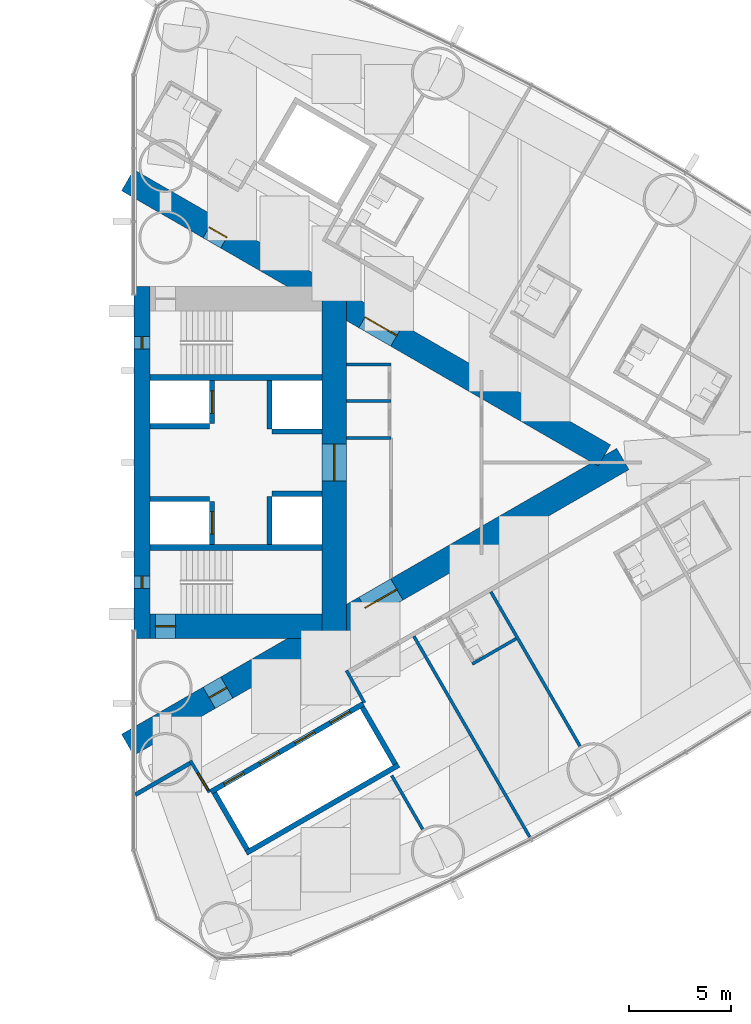
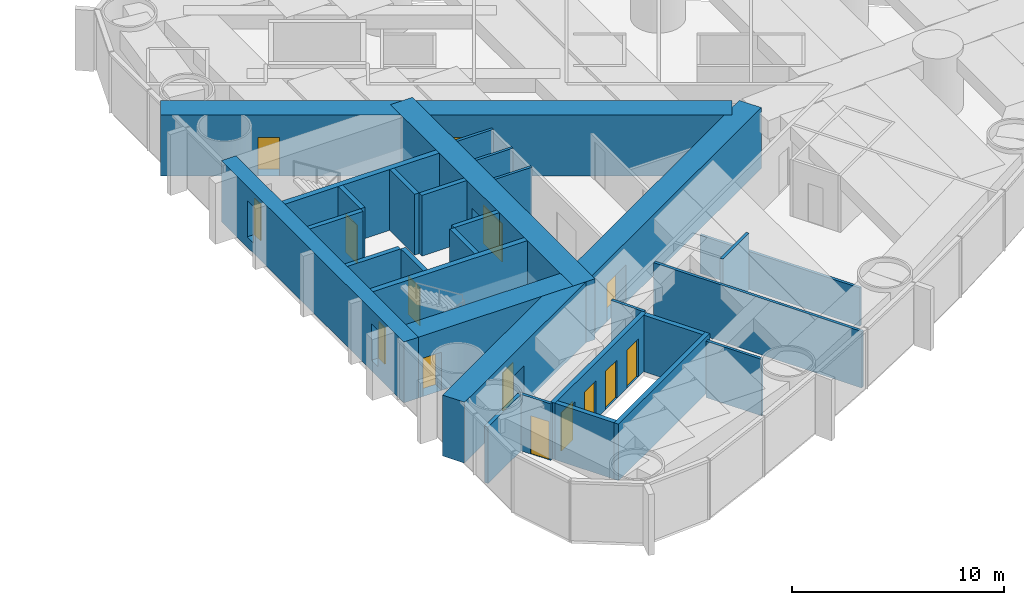
# One storey, part 13 of 18: 29 walls, 13 doors, 2 windows, 15 openings.
"""IFC4 building model written with IfcOpenShell, lengths in metres."""

import ifcopenshell
import ifcopenshell.guid

model = None  # the IFC model being written
_history = None  # IfcOwnerHistory: only IFC2X3 demands one
_inside = {}  # id of a spatial element -> (the spatial element, [elements in it])
_under = {}  # id of a project, library or spatial element -> (it, [spatial elements below it])
_declared = {}  # id of a project -> (the project, [libraries it declares])
_typed = {}  # id of a type object -> (the type object, [elements of that type])
_made_of = {}  # id of a material, layer set ... -> (it, [elements and type objects made of it])


def new_model(schema):
    """Start an empty IFC model of exactly this schema.

    Asked for "IFC4X3", IfcOpenShell would pick the latest addendum, in which some entities
    have other attributes; the version numbers below select the first issue.
    IFC2X3 requires an IfcOwnerHistory on every rooted entity: one is made here for all.
    """
    global model, _history
    if schema == "IFC4X3":
        model = ifcopenshell.file(schema_version=(4, 3, 0, 0))
    else:
        model = ifcopenshell.file(schema=schema)
    _inside.clear()
    _under.clear()
    _declared.clear()
    _typed.clear()
    _made_of.clear()
    _history = None
    if model.schema == "IFC2X3":
        org = make("IfcOrganization", Name="unknown")
        user = make(
            "IfcPersonAndOrganization",
            ThePerson=make("IfcPerson", FamilyName="unknown"),
            TheOrganization=org,
        )
        app = make(
            "IfcApplication",
            ApplicationDeveloper=org,
            Version="unknown",
            ApplicationFullName="unknown",
            ApplicationIdentifier="unknown",
        )
        _history = make(
            "IfcOwnerHistory",
            OwningUser=user,
            OwningApplication=app,
            ChangeAction="ADDED",
            CreationDate=0,
        )
    return model


def make(cls, **values):
    """One entity of the class cls with the attributes given. An attribute that is None is left unset."""
    return model.create_entity(
        cls, **{name: value for name, value in values.items() if value is not None}
    )


def rooted(cls, **values):
    """An entity with a GlobalId (a new one), such as an element, a storey or a relation."""
    return make(cls, GlobalId=ifcopenshell.guid.new(), OwnerHistory=_history, **values)


def si_unit(unit_type, name, prefix=None):
    """IfcSIUnit, for example si_unit("LENGTHUNIT", "METRE", prefix="MILLI")."""
    return make("IfcSIUnit", UnitType=unit_type, Prefix=prefix, Name=name)


def assignment(units):
    """IfcUnitAssignment: the units of a project."""
    return None if units is None else make("IfcUnitAssignment", Units=units)


def point(xyz):
    """IfcCartesianPoint."""
    return None if xyz is None else make("IfcCartesianPoint", Coordinates=xyz)


def direction(xyz):
    """IfcDirection."""
    return None if xyz is None else make("IfcDirection", DirectionRatios=xyz)


def frame(location, z_axis=None, x_axis=None):
    """IfcAxis2Placement3D, a coordinate frame: its origin and axes. An axis left out is left unset."""
    return make(
        "IfcAxis2Placement3D",
        Location=point(location),
        Axis=direction(z_axis),
        RefDirection=direction(x_axis),
    )


def frame_2d(location, x_axis=None):
    """IfcAxis2Placement2D, a coordinate frame in the plane: its origin and x axis."""
    return make(
        "IfcAxis2Placement2D", Location=point(location), RefDirection=direction(x_axis)
    )


def origin():
    """The frame at (0, 0, 0) with its axes left unset."""
    return frame((0.0, 0.0, 0.0))


def place(relative_to, where):
    """IfcLocalPlacement: puts the frame where relative to a parent placement (None: the world)."""
    return make(
        "IfcLocalPlacement", PlacementRelTo=relative_to, RelativePlacement=where
    )


def context(
    kind, dimensions, precision=None, world=None, true_north=None, identifier=None
):
    """IfcGeometricRepresentationContext, for example the 3D "Model" context."""
    return make(
        "IfcGeometricRepresentationContext",
        ContextIdentifier=identifier,
        ContextType=kind,
        CoordinateSpaceDimension=dimensions,
        Precision=precision,
        WorldCoordinateSystem=world,
        TrueNorth=true_north,
    )


def subcontext(parent, identifier, kind, view, scale=None):
    """IfcGeometricRepresentationSubContext, for example "Body" below "Model"."""
    return make(
        "IfcGeometricRepresentationSubContext",
        ContextIdentifier=identifier,
        ContextType=kind,
        ParentContext=parent,
        TargetScale=scale,
        TargetView=view,
    )


def project(units=None, contexts=None):
    """IfcProject with its units and contexts."""
    return rooted(
        "IfcProject",
        Name="project",
        RepresentationContexts=contexts,
        UnitsInContext=assignment(units),
    )


def spatial(cls, under=None, at=None, **own):
    """A site, building, storey or space (cls), placed at a placement, below another one or the project."""
    s = rooted(cls, ObjectPlacement=at, **own)
    if under is not None:
        _under.setdefault(under.id(), (under, []))[1].append(s)
    return s


def profile(cls, at=None, kind="AREA", **sizes):
    """A parametric profile (cls). Its sizes go by their IFC names, for example OverallWidth=200.0."""
    return make(cls, ProfileType=kind, Position=at, **sizes)


def rectangle(**sizes):
    """IfcRectangleProfileDef."""
    return profile("IfcRectangleProfileDef", **sizes)


def extrude(swept, where, along, depth):
    """IfcExtrudedAreaSolid: the profile swept, set in the frame where, extruded along a direction by depth."""
    return make(
        "IfcExtrudedAreaSolid",
        SweptArea=swept,
        Position=where,
        ExtrudedDirection=direction(along),
        Depth=depth,
    )


def shape(context_of_items, identifier, shape_type, items):
    """IfcShapeRepresentation: the items that make up one representation, for example the "Body"."""
    return make(
        "IfcShapeRepresentation",
        ContextOfItems=context_of_items,
        RepresentationIdentifier=identifier,
        RepresentationType=shape_type,
        Items=items,
    )


def material(Name=None, Category=None):
    """IfcMaterial."""
    return make("IfcMaterial", Name=Name, Category=Category)


def layer(
    of_material, thickness, ventilated=None, Name=None, Category=None, Priority=None
):
    """IfcMaterialLayer: one layer of a wall or slab, of a material (None: an air gap)."""
    return make(
        "IfcMaterialLayer",
        Material=of_material,
        LayerThickness=thickness,
        IsVentilated=ventilated,
        Name=Name,
        Category=Category,
        Priority=Priority,
    )


def layer_set(layers, Name=None):
    """IfcMaterialLayerSet."""
    return make("IfcMaterialLayerSet", MaterialLayers=layers, LayerSetName=Name)


def made_of(thing, what):
    """Note that an element or type object is made of a material, layer set ...; save() writes the relation."""
    if what is not None:
        _made_of.setdefault(what.id(), (what, []))[1].append(thing)
    return thing


def type_object(cls, material=None, **own):
    """A type object (cls), such as IfcWallType, which elements share."""
    return made_of(rooted(cls, **own), material)


def element(
    cls,
    number,
    at=None,
    inside=None,
    cuts=None,
    type_object=None,
    material=None,
    context=None,
    identifier="Body",
    shape_type=None,
    held_by="IfcProductDefinitionShape",
    body=None,
    shapes=None,
    **own,
):
    """One element of the class cls, such as IfcWall. Its Tag is "e" and its number.

    at: its placement. inside: the storey or other place that contains it. cuts: it is an
    opening in that element (IfcRelVoidsElement). A single representation is given by context,
    identifier, shape_type and body (its items); several are given by shapes. held_by: the class
    of the entity that holds the representations. save() writes the other relations.
    """
    e = rooted(cls, Tag="e%d" % number, ObjectPlacement=at, **own)
    if body is not None:
        shapes = [shape(context, identifier, shape_type, body)]
    if shapes is not None:
        e.Representation = make(held_by, Representations=shapes)
    if inside is not None:
        _inside.setdefault(inside.id(), (inside, []))[1].append(e)
    if cuts is not None:
        rooted(
            "IfcRelVoidsElement", RelatingBuildingElement=cuts, RelatedOpeningElement=e
        )
    if type_object is not None:
        _typed.setdefault(type_object.id(), (type_object, []))[1].append(e)
    return made_of(e, material)


def fill(opening, filler):
    """IfcRelFillsElement: the door or window that sits in an opening."""
    return rooted(
        "IfcRelFillsElement",
        RelatingOpeningElement=opening,
        RelatedBuildingElement=filler,
    )


def aggregate(whole, parts):
    """IfcRelAggregates: a whole, such as a stair, and the parts it consists of."""
    return rooted("IfcRelAggregates", RelatingObject=whole, RelatedObjects=parts)


def save(model, path):
    """Write the relations noted so far, then the file.

    IfcRelAggregates (storeys below a building ...), IfcRelContainedInSpatialStructure (elements
    in a storey), IfcRelDefinesByType, IfcRelAssociatesMaterial and IfcRelDeclares: one each for
    every whole, place, type object, material and project.
    """
    for whole, parts in _under.values():
        aggregate(whole, parts)
    for where, things in _inside.values():
        rooted(
            "IfcRelContainedInSpatialStructure",
            RelatedElements=things,
            RelatingStructure=where,
        )
    for kind, things in _typed.values():
        rooted("IfcRelDefinesByType", RelatedObjects=things, RelatingType=kind)
    for what, things in _made_of.values():
        rooted("IfcRelAssociatesMaterial", RelatedObjects=things, RelatingMaterial=what)
    for by, libraries in _declared.values():
        rooted("IfcRelDeclares", RelatingContext=by, RelatedDefinitions=libraries)
    model.write(path)


model = new_model("IFC4")

# Units and contexts
model_context = context("Model", 3, precision=1e-05, world=origin(), true_north=direction((0.0, 1.0)))
body_context = subcontext(model_context, "Body", "Model", "MODEL_VIEW")
ifc_project = project(units=[si_unit("LENGTHUNIT", "METRE"), si_unit("AREAUNIT", "SQUARE_METRE"), si_unit("VOLUMEUNIT", "CUBIC_METRE"), si_unit("PLANEANGLEUNIT", "RADIAN"), si_unit("MASSUNIT", "GRAM", prefix="KILO")], contexts=[model_context])

# Site, building, storey
site_placement = place(None, origin())
site = spatial("IfcSite", under=ifc_project, at=site_placement, CompositionType="ELEMENT")
building_placement = place(site_placement, origin())
building = spatial("IfcBuilding", under=site, at=building_placement, Name="Lancet Gate Hotel", CompositionType="ELEMENT")
storey_placement = place(building_placement, frame((0.0, 0.0, 118.60009765625)))
storey = spatial("IfcBuildingStorey", under=building, at=storey_placement, Name="L31", CompositionType="ELEMENT", Elevation=118.60009765625)

# Wall
ifc_material_1 = material(Name="Moisture resistant board partition")
ifc_layer_1 = layer(ifc_material_1, 0.14990234375)
ifc_layer_set_1 = layer_set([ifc_layer_1], Name="Bathroom wall 150")
wall_type_1 = type_object("IfcWallType", Name="Bathroom wall 150", PredefinedType="PARTITIONING", material=ifc_layer_set_1)
wall_1_placement = place(storey_placement, frame((44.045166015625, -9.847900390625, 0.0), z_axis=(0.0, 0.0, 1.0), x_axis=(0.866031185235, 0.4999899861, 0.0)))
element("IfcWall", 1, at=wall_1_placement, inside=storey, type_object=wall_type_1, Name="T2 bathroom wall 150 L31", PredefinedType="PARTITIONING", context=body_context, shape_type="SweptSolid", body=[
    extrude(rectangle(XDim=2.47509765625, YDim=0.14990234375, at=frame_2d((1.237548828125, 0.0))), origin(), (0.0, 0.0, 1.0), 3.25),
])

# Wall, openings, doors
ifc_material_2 = material(Name="Concrete C70/85", Category="concrete")
ifc_layer_2 = layer(ifc_material_2, 1.199951171875)
ifc_layer_set_2 = layer_set([ifc_layer_2], Name="Buttress wall 1200")
wall_type_2 = type_object("IfcWallType", Name="Buttress wall 1200", PredefinedType="SHEAR", material=ifc_layer_set_2)
wall_2_placement = place(storey_placement, frame((27.199951171875, -13.800048828125, 0.0), z_axis=(0.0, 0.0, 1.0), x_axis=(0.866027159892, 0.499996958321, 0.0)))
wall_2 = element("IfcWall", 2, at=wall_2_placement, inside=storey, type_object=wall_type_2, Name="T2 buttress wall S L31", PredefinedType="SHEAR", context=body_context, shape_type="SweptSolid", body=[
    extrude(rectangle(XDim=27.946533203125, YDim=1.199951171875, at=frame_2d((13.97314453125, 0.0))), origin(), (0.0, 0.0, 1.0), 3.5),
])
opening_1_placement = place(wall_2_placement, frame((4.60009765625, 0.0, 0.0)))
opening_1 = element("IfcOpeningElement", 3, at=opening_1_placement, cuts=wall_2, Name="Opening T2-L31-LS", PredefinedType="OPENING", context=body_context, shape_type="SweptSolid", body=[
    extrude(rectangle(XDim=1.0, YDim=2.199951171875, at=frame_2d((0.5, 1.10009765625))), frame((0.0, 0.60986328125, 0.0), z_axis=(0.0, -1.0, 0.0), x_axis=(1.0, 0.0, 0.0)), (0.0, 0.0, 1.0), 1.219970703125),
])
opening_2_placement = place(wall_2_placement, frame((13.39453125, 0.0, 0.0)))
opening_2 = element("IfcOpeningElement", 4, at=opening_2_placement, cuts=wall_2, Name="Opening T2-L31-LHS", PredefinedType="OPENING", context=body_context, shape_type="SweptSolid", body=[
    extrude(rectangle(XDim=1.800048828125, YDim=2.199951171875, at=frame_2d((0.89990234375, 1.10009765625))), frame((0.0, 0.60986328125, 0.0), z_axis=(0.0, -1.0, 0.0), x_axis=(1.0, 0.0, 0.0)), (0.0, 0.0, 1.0), 1.219970703125),
])
ifc_material_3 = material(Name="Timber door set", Category="wood")
door_type_1 = type_object("IfcDoorType", Name="Lobby double door 1800", OperationType="DOUBLE_DOOR_SINGLE_SWING", PredefinedType="DOOR", material=ifc_material_3)
door_1_placement = place(opening_2_placement, origin())
door_1 = element("IfcDoor", 5, at=door_1_placement, inside=storey, type_object=door_type_1, Name="T2-L31-LHS", OperationType="DOUBLE_DOOR_SINGLE_SWING", OverallHeight=2.199951171875, OverallWidth=1.800048828125, PredefinedType="DOOR", context=body_context, shape_type="SweptSolid", body=[
    extrude(rectangle(XDim=1.800048828125, YDim=2.199951171875, at=frame_2d((0.89990234375, 1.10009765625))), frame((0.0, 0.02490234375, 0.0), z_axis=(0.0, -1.0, 0.0), x_axis=(1.0, 0.0, 0.0)), (0.0, 0.0, 1.0), 0.050048828125),
])
fill(opening_2, door_1)
ifc_material_4 = material(Name="Timber door set", Category="wood")
door_type_2 = type_object("IfcDoorType", Name="Stair lobby door 1000", OperationType="SINGLE_SWING_LEFT", PredefinedType="DOOR", material=ifc_material_4)
door_2_placement = place(opening_1_placement, origin())
door_2 = element("IfcDoor", 6, at=door_2_placement, inside=storey, type_object=door_type_2, Name="T2-L31-LS", OperationType="SINGLE_SWING_LEFT", OverallHeight=2.199951171875, OverallWidth=1.0, PredefinedType="DOOR", context=body_context, shape_type="SweptSolid", body=[
    extrude(rectangle(XDim=1.0, YDim=2.199951171875, at=frame_2d((0.5, 1.10009765625))), frame((0.0, 0.02490234375, 0.0), z_axis=(0.0, -1.0, 0.0), x_axis=(1.0, 0.0, 0.0)), (0.0, 0.0, 1.0), 0.050048828125),
])
fill(opening_1, door_2)

wall_3_placement = place(storey_placement, frame((27.199951171875, 13.800048828125, 0.0), z_axis=(0.0, 0.0, 1.0), x_axis=(0.866024515034, -0.500001539357, 0.0)))
wall_3 = element("IfcWall", 7, at=wall_3_placement, inside=storey, type_object=wall_type_2, Name="T2 buttress wall N L31", PredefinedType="SHEAR", context=body_context, shape_type="SweptSolid", body=[
    extrude(rectangle(XDim=26.9072265625, YDim=1.199951171875, at=frame_2d((13.45361328125, 0.0))), origin(), (0.0, 0.0, 1.0), 3.5),
])
opening_3_placement = place(wall_3_placement, frame((4.60009765625, 0.0, 0.0)))
opening_3 = element("IfcOpeningElement", 8, at=opening_3_placement, cuts=wall_3, Name="Opening T2-L31-LN", PredefinedType="OPENING", context=body_context, shape_type="SweptSolid", body=[
    extrude(rectangle(XDim=1.0, YDim=2.199951171875, at=frame_2d((0.5, 1.10009765625))), frame((0.0, 0.60986328125, 0.0), z_axis=(0.0, -1.0, 0.0), x_axis=(1.0, 0.0, 0.0)), (0.0, 0.0, 1.0), 1.219970703125),
])
opening_4_placement = place(wall_3_placement, frame((13.39453125, 0.0, 0.0)))
opening_4 = element("IfcOpeningElement", 9, at=opening_4_placement, cuts=wall_3, Name="Opening T2-L31-LHN", PredefinedType="OPENING", context=body_context, shape_type="SweptSolid", body=[
    extrude(rectangle(XDim=1.800048828125, YDim=2.199951171875, at=frame_2d((0.89990234375, 1.10009765625))), frame((0.0, 0.60986328125, 0.0), z_axis=(0.0, -1.0, 0.0), x_axis=(1.0, 0.0, 0.0)), (0.0, 0.0, 1.0), 1.219970703125),
])
door_3_placement = place(opening_4_placement, origin())
door_3 = element("IfcDoor", 10, at=door_3_placement, inside=storey, type_object=door_type_1, Name="T2-L31-LHN", OperationType="DOUBLE_DOOR_SINGLE_SWING", OverallHeight=2.199951171875, OverallWidth=1.800048828125, PredefinedType="DOOR", context=body_context, shape_type="SweptSolid", body=[
    extrude(rectangle(XDim=1.800048828125, YDim=2.199951171875, at=frame_2d((0.89990234375, 1.10009765625))), frame((0.0, 0.02490234375, 0.0), z_axis=(0.0, -1.0, 0.0), x_axis=(1.0, 0.0, 0.0)), (0.0, 0.0, 1.0), 0.050048828125),
])
fill(opening_4, door_3)
door_4_placement = place(opening_3_placement, origin())
door_4 = element("IfcDoor", 11, at=door_4_placement, inside=storey, type_object=door_type_2, Name="T2-L31-LN", OperationType="SINGLE_SWING_LEFT", OverallHeight=2.199951171875, OverallWidth=1.0, PredefinedType="DOOR", context=body_context, shape_type="SweptSolid", body=[
    extrude(rectangle(XDim=1.0, YDim=2.199951171875, at=frame_2d((0.5, 1.10009765625))), frame((0.0, 0.02490234375, 0.0), z_axis=(0.0, -1.0, 0.0), x_axis=(1.0, 0.0, 0.0)), (0.0, 0.0, 1.0), 0.050048828125),
])
fill(opening_3, door_4)

# Wall, opening, door
ifc_material_5 = material(Name="Concrete C70/85", Category="concrete")
ifc_layer_3 = layer(ifc_material_5, 1.199951171875)
ifc_layer_set_3 = layer_set([ifc_layer_3], Name="Core wall 1200")
wall_type_3 = type_object("IfcWallType", Name="Core wall 1200", PredefinedType="SHEAR", material=ifc_layer_set_3)
wall_4_placement = place(storey_placement, frame((37.300048828125, -8.60009765625, 0.0), z_axis=(0.0, 0.0, 1.0), x_axis=(0.0, 1.0, 0.0)))
wall_4 = element("IfcWall", 12, at=wall_4_placement, inside=storey, type_object=wall_type_3, Name="T2 core wall back L31", PredefinedType="SHEAR", context=body_context, shape_type="SweptSolid", body=[
    extrude(rectangle(XDim=17.2001953125, YDim=1.199951171875, at=frame_2d((8.60009765625, 0.0))), origin(), (0.0, 0.0, 1.0), 3.5),
])
opening_5_placement = place(wall_4_placement, frame((7.699951171875, 0.0, 0.0)))
opening_5 = element("IfcOpeningElement", 13, at=opening_5_placement, cuts=wall_4, Name="Opening T2-L31-LL", PredefinedType="OPENING", context=body_context, shape_type="SweptSolid", body=[
    extrude(rectangle(XDim=1.800048828125, YDim=2.199951171875, at=frame_2d((0.89990234375, 1.10009765625))), frame((0.0, 0.60986328125, 0.0), z_axis=(0.0, -1.0, 0.0), x_axis=(1.0, 0.0, 0.0)), (0.0, 0.0, 1.0), 1.219970703125),
])
door_5_placement = place(opening_5_placement, origin())
door_5 = element("IfcDoor", 14, at=door_5_placement, inside=storey, type_object=door_type_1, Name="T2-L31-LL", OperationType="DOUBLE_DOOR_SINGLE_SWING", OverallHeight=2.199951171875, OverallWidth=1.800048828125, PredefinedType="DOOR", context=body_context, shape_type="SweptSolid", body=[
    extrude(rectangle(XDim=1.800048828125, YDim=2.199951171875, at=frame_2d((0.89990234375, 1.10009765625))), frame((0.0, 0.02490234375, 0.0), z_axis=(0.0, -1.0, 0.0), x_axis=(1.0, 0.0, 0.0)), (0.0, 0.0, 1.0), 0.050048828125),
])
fill(opening_5, door_5)

wall_5_placement = place(storey_placement, frame((28.300048828125, -8.0, 0.0), z_axis=(0.0, 0.0, 1.0), x_axis=(1.0, 0.0, 0.0)))
wall_5 = element("IfcWall", 15, at=wall_5_placement, inside=storey, type_object=wall_type_3, Name="T2 core wall side-S L31", PredefinedType="SHEAR", context=body_context, shape_type="SweptSolid", body=[
    extrude(rectangle(XDim=8.39990234375, YDim=1.199951171875, at=frame_2d((4.199951171875, 0.0))), origin(), (0.0, 0.0, 1.0), 3.5),
])
opening_6_placement = place(wall_5_placement, frame((0.25, 0.0, 0.0)))
opening_6 = element("IfcOpeningElement", 16, at=opening_6_placement, cuts=wall_5, Name="Opening T2-L31-ST1", PredefinedType="OPENING", context=body_context, shape_type="SweptSolid", body=[
    extrude(rectangle(XDim=1.0, YDim=2.199951171875, at=frame_2d((0.5, 1.10009765625))), frame((0.0, 0.60986328125, 0.0), z_axis=(0.0, -1.0, 0.0), x_axis=(1.0, 0.0, 0.0)), (0.0, 0.0, 1.0), 1.219970703125),
])
ifc_material_6 = material(Name="Timber door set", Category="wood")
door_type_3 = type_object("IfcDoorType", Name="Stair door 1000", OperationType="SINGLE_SWING_RIGHT", PredefinedType="DOOR", material=ifc_material_6)
door_6_placement = place(opening_6_placement, origin())
door_6 = element("IfcDoor", 17, at=door_6_placement, inside=storey, type_object=door_type_3, Name="T2-L31-ST1", OperationType="SINGLE_SWING_RIGHT", OverallHeight=2.199951171875, OverallWidth=1.0, PredefinedType="DOOR", context=body_context, shape_type="SweptSolid", body=[
    extrude(rectangle(XDim=1.0, YDim=2.199951171875, at=frame_2d((0.5, 1.10009765625))), frame((0.0, 0.02490234375, 0.0), z_axis=(0.0, -1.0, 0.0), x_axis=(1.0, 0.0, 0.0)), (0.0, 0.0, 1.0), 0.050048828125),
])
fill(opening_6, door_6)

# Wall, openings, windows
ifc_material_7 = material(Name="Concrete C70/85", Category="concrete")
ifc_layer_4 = layer(ifc_material_7, 0.800048828125)
ifc_layer_set_4 = layer_set([ifc_layer_4], Name="Core wall 800")
wall_type_4 = type_object("IfcWallType", Name="Core wall 800", PredefinedType="SHEAR", material=ifc_layer_set_4)
wall_6_placement = place(storey_placement, frame((27.89990234375, -8.60009765625, 0.0), z_axis=(0.0, 0.0, 1.0), x_axis=(0.0, 1.0, 0.0)))
wall_6 = element("IfcWall", 18, at=wall_6_placement, inside=storey, type_object=wall_type_4, Name="T2 core wall front L31", PredefinedType="SHEAR", context=body_context, shape_type="SweptSolid", body=[
    extrude(rectangle(XDim=17.2001953125, YDim=0.800048828125, at=frame_2d((8.60009765625, 0.0))), origin(), (0.0, 0.0, 1.0), 3.5),
])
opening_7_placement = place(wall_6_placement, frame((2.449951171875, 0.0, 0.60009765625)))
opening_7 = element("IfcOpeningElement", 19, at=opening_7_placement, cuts=wall_6, Name="Opening LW1", PredefinedType="OPENING", context=body_context, shape_type="SweptSolid", body=[
    extrude(rectangle(XDim=0.60009765625, YDim=2.10009765625, at=frame_2d((0.300048828125, 1.050048828125))), frame((0.0, 0.409912109375, 0.0), z_axis=(0.0, -1.0, 0.0), x_axis=(1.0, 0.0, 0.0)), (0.0, 0.0, 1.0), 0.820068359375),
])
opening_8_placement = place(wall_6_placement, frame((14.14990234375, 0.0, 0.60009765625)))
opening_8 = element("IfcOpeningElement", 20, at=opening_8_placement, cuts=wall_6, Name="Opening LW1", PredefinedType="OPENING", context=body_context, shape_type="SweptSolid", body=[
    extrude(rectangle(XDim=0.60009765625, YDim=2.10009765625, at=frame_2d((0.300048828125, 1.050048828125))), frame((0.0, 0.409912109375, 0.0), z_axis=(0.0, -1.0, 0.0), x_axis=(1.0, 0.0, 0.0)), (0.0, 0.0, 1.0), 0.820068359375),
])
ifc_material_8 = material(Name="Fire-resisting glazed steel window", Category="steel")
window_type = type_object("IfcWindowType", Name="Lancet window 600x2100", PartitioningType="SINGLE_PANEL", PredefinedType="WINDOW", material=ifc_material_8)
window_1_placement = place(opening_7_placement, origin())
window_1 = element("IfcWindow", 21, at=window_1_placement, inside=storey, type_object=window_type, Name="T2 stair window S L31", OverallHeight=2.10009765625, OverallWidth=0.60009765625, PartitioningType="SINGLE_PANEL", PredefinedType="WINDOW", context=body_context, shape_type="SweptSolid", body=[
    extrude(rectangle(XDim=0.60009765625, YDim=2.10009765625, at=frame_2d((0.300048828125, 1.050048828125))), frame((0.0, 0.030029296875, 0.0), z_axis=(0.0, -1.0, 0.0), x_axis=(1.0, 0.0, 0.0)), (0.0, 0.0, 1.0), 0.06005859375),
])
fill(opening_7, window_1)
window_2_placement = place(opening_8_placement, origin())
window_2 = element("IfcWindow", 22, at=window_2_placement, inside=storey, type_object=window_type, Name="T2 stair window N L31", OverallHeight=2.10009765625, OverallWidth=0.60009765625, PartitioningType="SINGLE_PANEL", PredefinedType="WINDOW", context=body_context, shape_type="SweptSolid", body=[
    extrude(rectangle(XDim=0.60009765625, YDim=2.10009765625, at=frame_2d((0.300048828125, 1.050048828125))), frame((0.0, 0.030029296875, 0.0), z_axis=(0.0, -1.0, 0.0), x_axis=(1.0, 0.0, 0.0)), (0.0, 0.0, 1.0), 0.06005859375),
])
fill(opening_8, window_2)

# Wall
ifc_material_9 = material(Name="Gypsum board partition")
ifc_layer_5 = layer(ifc_material_9, 0.199951171875)
ifc_layer_set_5 = layer_set([ifc_layer_5], Name="Corridor wall 200")
wall_type_5 = type_object("IfcWallType", Name="Corridor wall 200", PredefinedType="PARTITIONING", material=ifc_layer_set_5)
wall_7_placement = place(storey_placement, frame((27.572021484375, -16.240966796875, 0.0), z_axis=(0.0, 0.0, 1.0), x_axis=(0.866029654818, 0.499992636921, 0.0)))
element("IfcWall", 23, at=wall_7_placement, inside=storey, type_object=wall_type_5, Name="T2 corridor wall 200 L31", PredefinedType="PARTITIONING", context=body_context, shape_type="SweptSolid", body=[
    extrude(rectangle(XDim=3.15478515625, YDim=0.199951171875, at=frame_2d((1.577392578125, 0.0))), origin(), (0.0, 0.0, 1.0), 3.25),
])

# Wall, openings, doors
ifc_material_10 = material(Name="Gypsum board partition")
ifc_layer_6 = layer(ifc_material_10, 0.25)
ifc_layer_set_6 = layer_set([ifc_layer_6], Name="Lift shaft partition 250")
wall_type_6 = type_object("IfcWallType", Name="Lift shaft partition 250", PredefinedType="PARTITIONING", material=ifc_layer_set_6)
wall_8_placement = place(storey_placement, frame((31.2705078125, -16.09716796875, 0.0), z_axis=(0.0, 0.0, 1.0), x_axis=(0.86604045752, 0.499973925258, 0.0)))
wall_8 = element("IfcWall", 24, at=wall_8_placement, inside=storey, type_object=wall_type_6, Name="T2 lift shaft wall LR L31", PredefinedType="PARTITIONING", context=body_context, shape_type="SweptSolid", body=[
    extrude(rectangle(XDim=8.60009765625, YDim=0.25, at=frame_2d((4.300048828125, 0.0))), origin(), (0.0, 0.0, 1.0), 3.25),
])
opening_9_placement = place(wall_8_placement, frame((0.75, 0.0, 0.0)))
opening_9 = element("IfcOpeningElement", 25, at=opening_9_placement, cuts=wall_8, Name="Opening T2-LR1-L31", PredefinedType="OPENING", context=body_context, shape_type="SweptSolid", body=[
    extrude(rectangle(XDim=1.10009765625, YDim=2.199951171875, at=frame_2d((0.550048828125, 1.10009765625))), frame((0.0, 0.135009765625, 0.0), z_axis=(0.0, -1.0, 0.0), x_axis=(1.0, 0.0, 0.0)), (0.0, 0.0, 1.0), 0.27001953125),
])
opening_10_placement = place(wall_8_placement, frame((2.75, 0.0, 0.0)))
opening_10 = element("IfcOpeningElement", 26, at=opening_10_placement, cuts=wall_8, Name="Opening T2-LR2-L31", PredefinedType="OPENING", context=body_context, shape_type="SweptSolid", body=[
    extrude(rectangle(XDim=1.10009765625, YDim=2.199951171875, at=frame_2d((0.550048828125, 1.10009765625))), frame((0.0, 0.135009765625, 0.0), z_axis=(0.0, -1.0, 0.0), x_axis=(1.0, 0.0, 0.0)), (0.0, 0.0, 1.0), 0.27001953125),
])
opening_11_placement = place(wall_8_placement, frame((4.75, 0.0, 0.0)))
opening_11 = element("IfcOpeningElement", 27, at=opening_11_placement, cuts=wall_8, Name="Opening T2-LR3-L31", PredefinedType="OPENING", context=body_context, shape_type="SweptSolid", body=[
    extrude(rectangle(XDim=1.10009765625, YDim=2.199951171875, at=frame_2d((0.550048828125, 1.10009765625))), frame((0.0, 0.135009765625, 0.0), z_axis=(0.0, -1.0, 0.0), x_axis=(1.0, 0.0, 0.0)), (0.0, 0.0, 1.0), 0.27001953125),
])
opening_12_placement = place(wall_8_placement, frame((6.75, 0.0, 0.0)))
opening_12 = element("IfcOpeningElement", 28, at=opening_12_placement, cuts=wall_8, Name="Opening T2-LR4-L31", PredefinedType="OPENING", context=body_context, shape_type="SweptSolid", body=[
    extrude(rectangle(XDim=1.10009765625, YDim=2.199951171875, at=frame_2d((0.550048828125, 1.10009765625))), frame((0.0, 0.135009765625, 0.0), z_axis=(0.0, -1.0, 0.0), x_axis=(1.0, 0.0, 0.0)), (0.0, 0.0, 1.0), 0.27001953125),
])
ifc_material_11 = material(Name="Steel door set", Category="steel")
door_type_4 = type_object("IfcDoorType", Name="Lift landing door 1100", OperationType="DOUBLE_DOOR_SLIDING", PredefinedType="USERDEFINED", material=ifc_material_11)
door_7_placement = place(opening_9_placement, origin())
door_7 = element("IfcDoor", 29, at=door_7_placement, inside=storey, type_object=door_type_4, Name="T2-LR1-L31", ObjectType="LIFT LANDING DOOR", OperationType="DOUBLE_DOOR_SLIDING", OverallHeight=2.199951171875, OverallWidth=1.10009765625, PredefinedType="USERDEFINED", context=body_context, shape_type="SweptSolid", body=[
    extrude(rectangle(XDim=1.10009765625, YDim=2.199951171875, at=frame_2d((0.550048828125, 1.10009765625))), frame((0.0, 0.02490234375, 0.0), z_axis=(0.0, -1.0, 0.0), x_axis=(1.0, 0.0, 0.0)), (0.0, 0.0, 1.0), 0.050048828125),
])
fill(opening_9, door_7)
door_8_placement = place(opening_10_placement, origin())
door_8 = element("IfcDoor", 30, at=door_8_placement, inside=storey, type_object=door_type_4, Name="T2-LR2-L31", ObjectType="LIFT LANDING DOOR", OperationType="DOUBLE_DOOR_SLIDING", OverallHeight=2.199951171875, OverallWidth=1.10009765625, PredefinedType="USERDEFINED", context=body_context, shape_type="SweptSolid", body=[
    extrude(rectangle(XDim=1.10009765625, YDim=2.199951171875, at=frame_2d((0.550048828125, 1.10009765625))), frame((0.0, 0.02490234375, 0.0), z_axis=(0.0, -1.0, 0.0), x_axis=(1.0, 0.0, 0.0)), (0.0, 0.0, 1.0), 0.050048828125),
])
fill(opening_10, door_8)
door_9_placement = place(opening_11_placement, origin())
door_9 = element("IfcDoor", 31, at=door_9_placement, inside=storey, type_object=door_type_4, Name="T2-LR3-L31", ObjectType="LIFT LANDING DOOR", OperationType="DOUBLE_DOOR_SLIDING", OverallHeight=2.199951171875, OverallWidth=1.10009765625, PredefinedType="USERDEFINED", context=body_context, shape_type="SweptSolid", body=[
    extrude(rectangle(XDim=1.10009765625, YDim=2.199951171875, at=frame_2d((0.550048828125, 1.10009765625))), frame((0.0, 0.02490234375, 0.0), z_axis=(0.0, -1.0, 0.0), x_axis=(1.0, 0.0, 0.0)), (0.0, 0.0, 1.0), 0.050048828125),
])
fill(opening_11, door_9)
door_10_placement = place(opening_12_placement, origin())
door_10 = element("IfcDoor", 32, at=door_10_placement, inside=storey, type_object=door_type_4, Name="T2-LR4-L31", ObjectType="LIFT LANDING DOOR", OperationType="DOUBLE_DOOR_SLIDING", OverallHeight=2.199951171875, OverallWidth=1.10009765625, PredefinedType="USERDEFINED", context=body_context, shape_type="SweptSolid", body=[
    extrude(rectangle(XDim=1.10009765625, YDim=2.199951171875, at=frame_2d((0.550048828125, 1.10009765625))), frame((0.0, 0.02490234375, 0.0), z_axis=(0.0, -1.0, 0.0), x_axis=(1.0, 0.0, 0.0)), (0.0, 0.0, 1.0), 0.050048828125),
])
fill(opening_12, door_10)

# Walls
wall_9_placement = place(storey_placement, frame((32.99560546875, -19.085693359375, 0.0), z_axis=(0.0, 0.0, 1.0), x_axis=(0.866028165386, 0.499995216735, 0.0)))
element("IfcWall", 33, at=wall_9_placement, inside=storey, type_object=wall_type_6, Name="T2 lift shaft wall LR L31", PredefinedType="PARTITIONING", context=body_context, shape_type="SweptSolid", body=[
    extrude(rectangle(XDim=8.60009765625, YDim=0.25, at=frame_2d((4.300048828125, 0.0))), origin(), (0.0, 0.0, 1.0), 3.25),
])
for number, where, z_axis, x_axis, name in (
    (34, (31.441162109375, -16.14306640625, 0.0), (0.0, 0.0, 1.0), (0.499929347863, -0.866066190972, 0.0), "T2 lift shaft wall LR L31"),
    (35, (38.672607421875, -11.968017578125, 0.0), (0.0, 0.0, 1.0), (0.499929347863, -0.866066190972, 0.0), "T2 lift shaft wall LR L31"),
):
    element("IfcWall", number, at=place(storey_placement, frame(where, z_axis=z_axis, x_axis=x_axis)), inside=storey, type_object=wall_type_6, Name=name, PredefinedType="PARTITIONING", context=body_context, shape_type="SweptSolid", body=[
        extrude(rectangle(XDim=3.20068359375, YDim=0.25, at=frame_2d((1.600341796875, 0.0))), origin(), (0.0, 0.0, 1.0), 3.25),
    ])

# Wall, opening, door
ifc_material_12 = material(Name="Concrete C50/60", Category="concrete")
ifc_layer_7 = layer(ifc_material_12, 0.25)
ifc_layer_set_7 = layer_set([ifc_layer_7], Name="Lift shaft wall 250")
wall_type_7 = type_object("IfcWallType", Name="Lift shaft wall 250", PredefinedType="SHEAR", material=ifc_layer_set_7)
wall_10_placement = place(storey_placement, frame((31.324951171875, -4.0, 0.0), z_axis=(0.0, 0.0, 1.0), x_axis=(0.0, 1.0, 0.0)))
wall_10 = element("IfcWall", 36, at=wall_10_placement, inside=storey, type_object=wall_type_7, Name="T2 core wall row1-S L31", PredefinedType="SHEAR", context=body_context, shape_type="SweptSolid", body=[
    extrude(rectangle(XDim=2.10009765625, YDim=0.25, at=frame_2d((1.050048828125, 0.0))), origin(), (0.0, 0.0, 1.0), 3.5),
])
opening_13_placement = place(wall_10_placement, frame((0.5, 0.0, 0.0)))
opening_13 = element("IfcOpeningElement", 37, at=opening_13_placement, cuts=wall_10, Name="Opening T2-SL1-L31", PredefinedType="OPENING", context=body_context, shape_type="SweptSolid", body=[
    extrude(rectangle(XDim=1.10009765625, YDim=2.199951171875, at=frame_2d((0.550048828125, 1.10009765625))), frame((0.0, 0.135009765625, 0.0), z_axis=(0.0, -1.0, 0.0), x_axis=(1.0, 0.0, 0.0)), (0.0, 0.0, 1.0), 0.27001953125),
])
ifc_material_13 = material(Name="Timber door set", Category="wood")
door_type_5 = type_object("IfcDoorType", Name="Service lift landing door 1100", OperationType="SLIDING_TO_LEFT", PredefinedType="USERDEFINED", material=ifc_material_13)
door_11_placement = place(opening_13_placement, origin())
door_11 = element("IfcDoor", 38, at=door_11_placement, inside=storey, type_object=door_type_5, Name="T2-SL1-L31", ObjectType="LIFT LANDING DOOR", OperationType="SLIDING_TO_LEFT", OverallHeight=2.199951171875, OverallWidth=1.10009765625, PredefinedType="USERDEFINED", context=body_context, shape_type="SweptSolid", body=[
    extrude(rectangle(XDim=1.10009765625, YDim=2.199951171875, at=frame_2d((0.550048828125, 1.10009765625))), frame((0.0, 0.02490234375, 0.0), z_axis=(0.0, -1.0, 0.0), x_axis=(1.0, 0.0, 0.0)), (0.0, 0.0, 1.0), 0.050048828125),
])
fill(opening_13, door_11)

# Walls
wall_11_placement = place(storey_placement, frame((34.125, -4.0, 0.0), z_axis=(0.0, 0.0, 1.0), x_axis=(0.0, 1.0, 0.0)))
element("IfcWall", 39, at=wall_11_placement, inside=storey, type_object=wall_type_7, Name="T2 core wall row2-S L31", PredefinedType="SHEAR", context=body_context, shape_type="SweptSolid", body=[
    extrude(rectangle(XDim=2.35009765625, YDim=0.25, at=frame_2d((1.175048828125, 0.0))), origin(), (0.0, 0.0, 1.0), 3.5),
])
wall_12_placement = place(storey_placement, frame((28.300048828125, -1.77490234375, 0.0), z_axis=(0.0, 0.0, 1.0), x_axis=(1.0, 0.0, 0.0)))
element("IfcWall", 40, at=wall_12_placement, inside=storey, type_object=wall_type_7, Name="T2 core wall pass1-S L31", PredefinedType="SHEAR", context=body_context, shape_type="SweptSolid", body=[
    extrude(rectangle(XDim=2.89990234375, YDim=0.25, at=frame_2d((1.449951171875, 0.0))), origin(), (0.0, 0.0, 1.0), 3.5),
])
wall_13_placement = place(storey_placement, frame((34.25, -1.52490234375, 0.0), z_axis=(0.0, 0.0, 1.0), x_axis=(1.0, 0.0, 0.0)))
element("IfcWall", 41, at=wall_13_placement, inside=storey, type_object=wall_type_7, Name="T2 core wall pass2-S L31", PredefinedType="SHEAR", context=body_context, shape_type="SweptSolid", body=[
    extrude(rectangle(XDim=2.449951171875, YDim=0.25, at=frame_2d((1.22509765625, 0.0))), origin(), (0.0, 0.0, 1.0), 3.5),
])

# Wall, opening, door
wall_14_placement = place(storey_placement, frame((31.324951171875, 1.89990234375, 0.0), z_axis=(0.0, 0.0, 1.0), x_axis=(0.0, 1.0, 0.0)))
wall_14 = element("IfcWall", 42, at=wall_14_placement, inside=storey, type_object=wall_type_7, Name="T2 core wall row1-N L31", PredefinedType="SHEAR", context=body_context, shape_type="SweptSolid", body=[
    extrude(rectangle(XDim=2.10009765625, YDim=0.25, at=frame_2d((1.050048828125, 0.0))), origin(), (0.0, 0.0, 1.0), 3.5),
])
opening_14_placement = place(wall_14_placement, frame((0.5, 0.0, 0.0)))
opening_14 = element("IfcOpeningElement", 43, at=opening_14_placement, cuts=wall_14, Name="Opening T2-FL2-L31", PredefinedType="OPENING", context=body_context, shape_type="SweptSolid", body=[
    extrude(rectangle(XDim=1.10009765625, YDim=2.199951171875, at=frame_2d((0.550048828125, 1.10009765625))), frame((0.0, 0.135009765625, 0.0), z_axis=(0.0, -1.0, 0.0), x_axis=(1.0, 0.0, 0.0)), (0.0, 0.0, 1.0), 0.27001953125),
])
ifc_material_14 = material(Name="Steel door set", Category="steel")
door_type_6 = type_object("IfcDoorType", Name="Firefighting lift landing door 1100", OperationType="SLIDING_TO_LEFT", PredefinedType="USERDEFINED", material=ifc_material_14)
door_12_placement = place(opening_14_placement, origin())
door_12 = element("IfcDoor", 44, at=door_12_placement, inside=storey, type_object=door_type_6, Name="T2-FL2-L31", ObjectType="LIFT LANDING DOOR", OperationType="SLIDING_TO_LEFT", OverallHeight=2.199951171875, OverallWidth=1.10009765625, PredefinedType="USERDEFINED", context=body_context, shape_type="SweptSolid", body=[
    extrude(rectangle(XDim=1.10009765625, YDim=2.199951171875, at=frame_2d((0.550048828125, 1.10009765625))), frame((0.0, 0.02490234375, 0.0), z_axis=(0.0, -1.0, 0.0), x_axis=(1.0, 0.0, 0.0)), (0.0, 0.0, 1.0), 0.050048828125),
])
fill(opening_14, door_12)

# Walls
wall_15_placement = place(storey_placement, frame((34.125, 1.64990234375, 0.0), z_axis=(0.0, 0.0, 1.0), x_axis=(0.0, 1.0, 0.0)))
element("IfcWall", 45, at=wall_15_placement, inside=storey, type_object=wall_type_7, Name="T2 core wall row2-N L31", PredefinedType="SHEAR", context=body_context, shape_type="SweptSolid", body=[
    extrude(rectangle(XDim=2.35009765625, YDim=0.25, at=frame_2d((1.175048828125, 0.0))), origin(), (0.0, 0.0, 1.0), 3.5),
])
wall_16_placement = place(storey_placement, frame((28.300048828125, 1.77490234375, 0.0), z_axis=(0.0, 0.0, 1.0), x_axis=(1.0, 0.0, 0.0)))
element("IfcWall", 46, at=wall_16_placement, inside=storey, type_object=wall_type_7, Name="T2 core wall pass1-N L31", PredefinedType="SHEAR", context=body_context, shape_type="SweptSolid", body=[
    extrude(rectangle(XDim=2.89990234375, YDim=0.25, at=frame_2d((1.449951171875, 0.0))), origin(), (0.0, 0.0, 1.0), 3.5),
])
wall_17_placement = place(storey_placement, frame((34.25, 1.52490234375, 0.0), z_axis=(0.0, 0.0, 1.0), x_axis=(1.0, 0.0, 0.0)))
element("IfcWall", 47, at=wall_17_placement, inside=storey, type_object=wall_type_7, Name="T2 core wall pass2-N L31", PredefinedType="SHEAR", context=body_context, shape_type="SweptSolid", body=[
    extrude(rectangle(XDim=2.449951171875, YDim=0.25, at=frame_2d((1.22509765625, 0.0))), origin(), (0.0, 0.0, 1.0), 3.5),
])
ifc_material_15 = material(Name="Gypsum board partition")
ifc_layer_8 = layer(ifc_material_15, 0.14990234375)
ifc_layer_set_8 = layer_set([ifc_layer_8], Name="Party wall 150")
wall_type_8 = type_object("IfcWallType", Name="Party wall 150", PredefinedType="PARTITIONING", material=ifc_layer_set_8)
wall_18_placement = place(storey_placement, frame((41.18994140625, -8.494140625, 0.0), z_axis=(0.0, 0.0, 1.0), x_axis=(0.49999258054, -0.866029687369, 0.0)))
element("IfcWall", 48, at=wall_18_placement, inside=storey, type_object=wall_type_8, Name="T2 party wall 150 L31", PredefinedType="PARTITIONING", context=body_context, shape_type="SweptSolid", body=[
    extrude(rectangle(XDim=11.318115234375, YDim=0.14990234375, at=frame_2d((5.6591796875, 0.0))), origin(), (0.0, 0.0, 1.0), 3.25),
])
wall_19_placement = place(storey_placement, frame((44.95361328125, -6.3212890625, 0.0), z_axis=(0.0, 0.0, 1.0), x_axis=(0.500018676722, -0.866014620505, 0.0)))
element("IfcWall", 49, at=wall_19_placement, inside=storey, type_object=wall_type_8, Name="T2 party wall 150 L31", PredefinedType="PARTITIONING", context=body_context, shape_type="SweptSolid", body=[
    extrude(rectangle(XDim=8.703857421875, YDim=0.14990234375, at=frame_2d((4.35205078125, 0.0))), origin(), (0.0, 0.0, 1.0), 2.199951171875),
])
wall_20_placement = place(storey_placement, frame((40.10546875, -15.298583984375, 0.0), z_axis=(0.0, 0.0, 1.0), x_axis=(0.499978822259, -0.866037630414, 0.0)))
element("IfcWall", 50, at=wall_20_placement, inside=storey, type_object=wall_type_8, Name="T2 party wall 150 L31", PredefinedType="PARTITIONING", context=body_context, shape_type="SweptSolid", body=[
    extrude(rectangle(XDim=3.022705078125, YDim=0.14990234375, at=frame_2d((1.51123046875, 0.0))), origin(), (0.0, 0.0, 1.0), 3.25),
])

# Wall, opening, door
ifc_material_16 = material(Name="Gypsum board partition")
ifc_layer_9 = layer(ifc_material_16, 0.14990234375)
ifc_layer_set_9 = layer_set([ifc_layer_9], Name="Service room wall 150")
wall_type_9 = type_object("IfcWallType", Name="Service room wall 150", PredefinedType="PARTITIONING", material=ifc_layer_set_9)
wall_21_placement = place(storey_placement, frame((30.26708984375, -14.5693359375, 0.0), z_axis=(0.0, 0.0, 1.0), x_axis=(0.514336634837, -0.857588377991, 0.0)))
wall_21 = element("IfcWall", 51, at=wall_21_placement, inside=storey, type_object=wall_type_9, Name="T2 service room wall 150 L31", PredefinedType="PARTITIONING", context=body_context, shape_type="SweptSolid", body=[
    extrude(rectangle(XDim=1.80517578125, YDim=0.14990234375, at=frame_2d((0.902587890625, 0.0))), origin(), (0.0, 0.0, 1.0), 3.25),
])
opening_15_placement = place(wall_21_placement, frame((0.702880859375, 0.0, 0.0)))
opening_15 = element("IfcOpeningElement", 52, at=opening_15_placement, cuts=wall_21, Name="Opening T2-L31-LO1", PredefinedType="OPENING", context=body_context, shape_type="SweptSolid", body=[
    extrude(rectangle(XDim=1.0, YDim=2.199951171875, at=frame_2d((0.5, 1.10009765625))), frame((0.0, 0.0849609375, 0.0), z_axis=(0.0, -1.0, 0.0), x_axis=(1.0, 0.0, 0.0)), (0.0, 0.0, 1.0), 0.169921875),
])
ifc_material_17 = material(Name="Timber door set", Category="wood")
door_type_7 = type_object("IfcDoorType", Name="Service door 1000", OperationType="SINGLE_SWING_LEFT", PredefinedType="DOOR", material=ifc_material_17)
door_13_placement = place(opening_15_placement, origin())
door_13 = element("IfcDoor", 53, at=door_13_placement, inside=storey, type_object=door_type_7, Name="T2-L31-LO1", OperationType="SINGLE_SWING_LEFT", OverallHeight=2.199951171875, OverallWidth=1.0, PredefinedType="DOOR", context=body_context, shape_type="SweptSolid", body=[
    extrude(rectangle(XDim=1.0, YDim=2.199951171875, at=frame_2d((0.5, 1.10009765625))), frame((0.0, 0.02490234375, 0.0), z_axis=(0.0, -1.0, 0.0), x_axis=(1.0, 0.0, 0.0)), (0.0, 0.0, 1.0), 0.050048828125),
])
fill(opening_15, door_13)

# Walls
wall_22_placement = place(storey_placement, frame((38.7734375, -11.742431640625, 0.0), z_axis=(0.0, 0.0, 1.0), x_axis=(-0.485528096672, 0.8742210632, 0.0)))
element("IfcWall", 54, at=wall_22_placement, inside=storey, type_object=wall_type_9, Name="T2 service room wall 150 L31", PredefinedType="PARTITIONING", context=body_context, shape_type="SweptSolid", body=[
    extrude(rectangle(XDim=1.80517578125, YDim=0.14990234375, at=frame_2d((0.902587890625, 0.0))), origin(), (0.0, 0.0, 1.0), 3.25),
])
for number, where, z_axis, x_axis, name in (
    (55, (37.89990234375, 1.199951171875, 0.0), (0.0, 0.0, 1.0), (1.0, 0.0, 0.0), "T2 service room wall 150 L31"),
    (56, (37.89990234375, 3.0, 0.0), (0.0, 0.0, 1.0), (1.0, 0.0, 0.0), "T2 service room wall 150 L31"),
    (57, (37.89990234375, 4.800048828125, 0.0), (0.0, 0.0, 1.0), (1.0, 0.0, 0.0), "T2 service room wall 150 L31"),
):
    element("IfcWall", number, at=place(storey_placement, frame(where, z_axis=z_axis, x_axis=x_axis)), inside=storey, type_object=wall_type_9, Name=name, PredefinedType="PARTITIONING", context=body_context, shape_type="SweptSolid", body=[
        extrude(rectangle(XDim=2.175048828125, YDim=0.14990234375, at=frame_2d((1.08740234375, 0.0))), origin(), (0.0, 0.0, 1.0), 3.25),
    ])
ifc_material_18 = material(Name="Concrete C50/60", Category="concrete")
ifc_layer_10 = layer(ifc_material_18, 0.300048828125)
ifc_layer_set_10 = layer_set([ifc_layer_10], Name="Stair enclosure wall 300")
wall_type_10 = type_object("IfcWallType", Name="Stair enclosure wall 300", PredefinedType="SHEAR", material=ifc_layer_set_10)
for number, where, z_axis, x_axis, name in (
    (58, (28.300048828125, -4.14990234375, 0.0), (0.0, 0.0, 1.0), (1.0, 0.0, 0.0), "T2 core wall stair-S L31"),
    (59, (28.300048828125, 4.14990234375, 0.0), (0.0, 0.0, 1.0), (1.0, 0.0, 0.0), "T2 core wall stair-N L31"),
):
    element("IfcWall", number, at=place(storey_placement, frame(where, z_axis=z_axis, x_axis=x_axis)), inside=storey, type_object=wall_type_10, Name=name, PredefinedType="SHEAR", context=body_context, shape_type="SweptSolid", body=[
        extrude(rectangle(XDim=8.39990234375, YDim=0.300048828125, at=frame_2d((4.199951171875, 0.0))), origin(), (0.0, 0.0, 1.0), 3.5),
    ])

save(model, "model.ifc")
